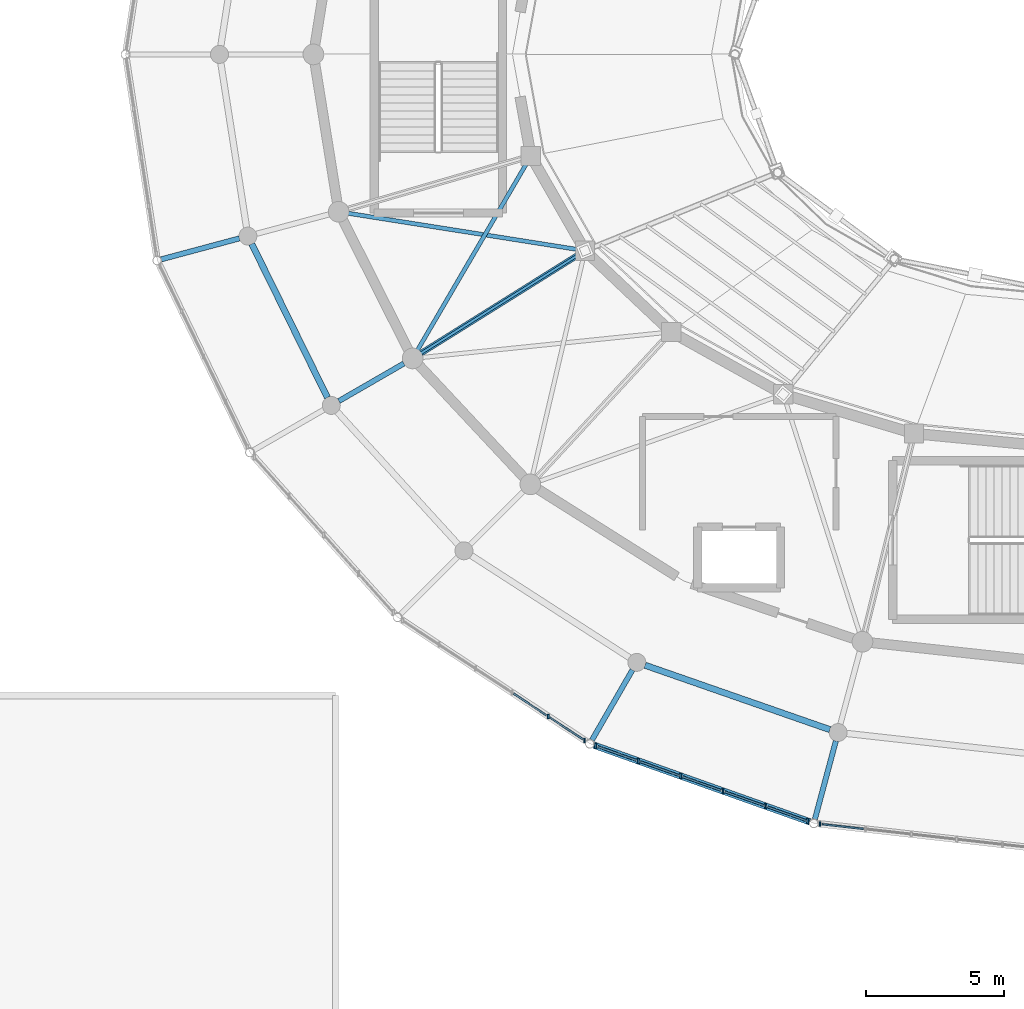
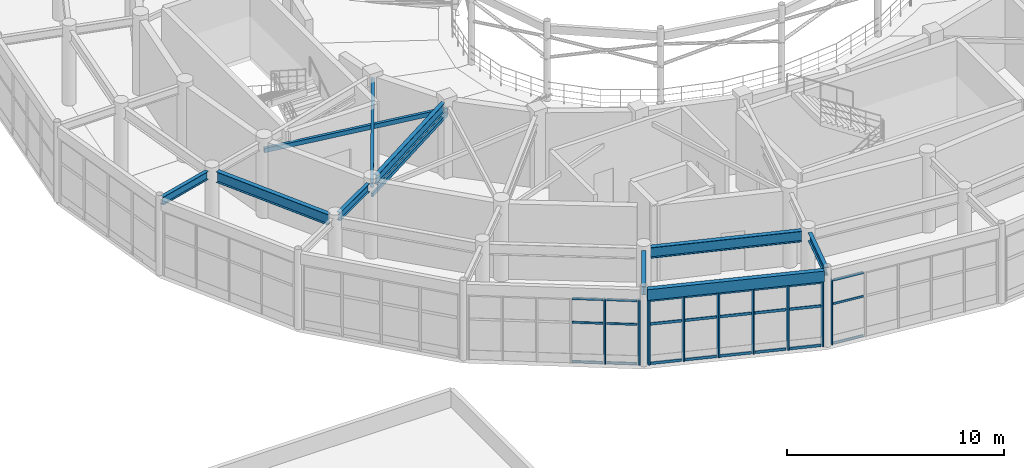
# One storey, part 40 of 112: 36 members, 8 beams, 3 elements without a shape of their own.
"""IFC4 building model written with IfcOpenShell, lengths in metres."""

from ifc_helpers import new_model, si_unit, direction, frame, origin, origin_2d, place, context, subcontext, project, spatial, rectangle, hollow_rectangle, i_section, extrude, material, material_profile, profile_set, type_object, element, aggregate, save


model = new_model("IFC4")

# Units and contexts
model_context = context("Model", 3, precision=1e-05, world=origin(), true_north=direction((0.0, 1.0)))
body_context = subcontext(model_context, "Body", "Model", "MODEL_VIEW")
ifc_project = project(units=[si_unit("LENGTHUNIT", "METRE"), si_unit("AREAUNIT", "SQUARE_METRE"), si_unit("VOLUMEUNIT", "CUBIC_METRE"), si_unit("PLANEANGLEUNIT", "RADIAN"), si_unit("MASSUNIT", "GRAM", prefix="KILO")], contexts=[model_context])

# Site, building, storey
site_placement = place(None, origin())
site = spatial("IfcSite", under=ifc_project, at=site_placement, CompositionType="ELEMENT")
building_placement = place(site_placement, origin())
building = spatial("IfcBuilding", under=site, at=building_placement, Name="Cinderbank Siding Concert Hall", CompositionType="ELEMENT")
storey_placement = place(building_placement, frame((0.0, 0.0, 10.199951171875)))
storey = spatial("IfcBuildingStorey", under=building, at=storey_placement, Name="L03", CompositionType="ELEMENT", Elevation=10.199951171875)

# Beams
ifc_material_1 = material(Name="Structural steel AS/NZS 3679.1 Grade 350 (340 MPa)", Category="steel")
ifc_material_profile_1 = material_profile(ifc_material_1, i_section(OverallWidth=0.19091796875, OverallDepth=0.46044921875, WebThickness=0.010009765625, FlangeThickness=0.01611328125, at=origin_2d()), Name="460UB82.1", Category="LoadBearing")
ifc_profile_set_1 = profile_set([ifc_material_profile_1], Name="Structural steel AS/NZS 3679.1 Grade 350 (340 MPa)")
beam_type_1 = type_object("IfcBeamType", Name="BM-UB460H 460UB82.1", PredefinedType="BEAM", material=ifc_profile_set_1)
beam_1_placement = place(storey_placement, frame((98.47265625, 32.81640625, 4.011962890625), z_axis=(-0.866032896488, -0.499987022033, 0.0), x_axis=(0.499987022033, -0.866032896488, 0.0)))
element("IfcBeam", 1, at=beam_1_placement, inside=storey, type_object=beam_type_1, Name="L03 Beam BM-UB460H #618", PredefinedType="BEAM", context=body_context, shape_type="SweptSolid", body=[
    extrude(i_section(OverallWidth=0.19091796875, OverallDepth=0.46044921875, WebThickness=0.010009765625, FlangeThickness=0.01611328125, at=origin_2d()), origin(), (0.0, 0.0, 1.0), 2.7158203125),
])
for number, where, z_axis, x_axis, name in (
    (2, (92.522705078125, 37.343994140625, 4.0517578125), (-0.965904885504, -0.258897184534, 0.0), (0.258897184534, -0.965904885504, 0.0), "L03 Beam BM-UB460H #641"),
    (3, (106.741455078125, 21.728515625, 4.0517578125), (-0.499958157915, -0.866049559976, 0.0), (0.866049559976, -0.499958157915, 0.0), "L03 Beam BM-UB460H #644"),
    (4, (114.101806640625, 19.1591796875, 4.0517578125), (-0.258897184534, -0.965904885504, 0.0), (0.965904885504, -0.258897184534, 0.0), "L03 Beam BM-UB460H #645"),
):
    element("IfcBeam", number, at=place(storey_placement, frame(where, z_axis=z_axis, x_axis=x_axis)), inside=storey, type_object=beam_type_1, Name=name, PredefinedType="BEAM", context=body_context, shape_type="SweptSolid", body=[
        extrude(i_section(OverallWidth=0.19091796875, OverallDepth=0.46044921875, WebThickness=0.010009765625, FlangeThickness=0.01611328125, at=origin_2d()), origin(), (0.0, 0.0, 1.0), 2.928955078125),
    ])
ifc_material_profile_2 = material_profile(ifc_material_1, i_section(OverallWidth=0.208984375, OverallDepth=0.532958984375, WebThickness=0.01025390625, FlangeThickness=0.015625, at=origin_2d()), Name="530UB92.4", Category="LoadBearing")
ifc_profile_set_2 = profile_set([ifc_material_profile_2], Name="Structural steel AS/NZS 3679.1 Grade 350 (340 MPa)")
beam_type_2 = type_object("IfcBeamType", Name="BM-UB530H 530UB92.4", PredefinedType="BEAM", material=ifc_profile_set_2)
beam_2_placement = place(storey_placement, frame((104.73583984375, 36.718505859375, 3.985595703125), z_axis=(-0.84781868984, -0.530286214376, 0.0), x_axis=(0.530286214376, -0.84781868984, 0.0)))
element("IfcBeam", 5, at=beam_2_placement, inside=storey, type_object=beam_type_2, Name="L03 Beam BM-UB530H #598", PredefinedType="BEAM", context=body_context, shape_type="SweptSolid", body=[
    extrude(i_section(OverallWidth=0.208984375, OverallDepth=0.532958984375, WebThickness=0.01025390625, FlangeThickness=0.015625, at=origin_2d()), origin(), (0.0, 0.0, 1.0), 6.645263671875),
])
ifc_material_profile_3 = material_profile(ifc_material_1, i_section(OverallWidth=0.22802734375, OverallDepth=0.60693359375, WebThickness=0.01123046875, FlangeThickness=0.017333984375, at=origin_2d()), Name="610UB113", Category="LoadBearing")
ifc_profile_set_3 = profile_set([ifc_material_profile_3], Name="Structural steel AS/NZS 3679.1 Grade 350 (340 MPa)")
beam_type_3 = type_object("IfcBeamType", Name="BM-UB610M 610UB113", PredefinedType="BEAM", material=ifc_profile_set_3)
beam_3_placement = place(storey_placement, frame((92.968994140625, 37.1416015625, 3.9384765625), z_axis=(0.441813843649, -0.897106753714, 0.0), x_axis=(0.897106753714, 0.441813843649, 0.0)))
element("IfcBeam", 6, at=beam_3_placement, inside=storey, type_object=beam_type_3, Name="L03 Beam BM-UB610M #558", PredefinedType="BEAM", context=body_context, shape_type="SweptSolid", body=[
    extrude(i_section(OverallWidth=0.22802734375, OverallDepth=0.60693359375, WebThickness=0.01123046875, FlangeThickness=0.017333984375, at=origin_2d()), origin(), (0.0, 0.0, 1.0), 6.194580078125),
])
beam_4_placement = place(storey_placement, frame((107.199462890625, 21.898681640625, 3.9384765625), z_axis=(0.944334299593, -0.328987432301, 0.0), x_axis=(0.328987432301, 0.944334299593, 0.0)))
element("IfcBeam", 7, at=beam_4_placement, inside=storey, type_object=beam_type_3, Name="L03 Beam BM-UB610M #561", PredefinedType="BEAM", context=body_context, shape_type="SweptSolid", body=[
    extrude(i_section(OverallWidth=0.22802734375, OverallDepth=0.60693359375, WebThickness=0.01123046875, FlangeThickness=0.017333984375, at=origin_2d()), origin(), (0.0, 0.0, 1.0), 7.078857421875),
])

# Curtain wall, members
ifc_material_2 = material(Name="Anodised aluminium alloy 6063-T6", Category="aluminium")
curtain_wall_type_1 = type_object("IfcCurtainWallType", Name="CW-04 Unitised Acoustic Curtain Wall 7000x4400", PredefinedType="NOTDEFINED", material=ifc_material_2)
curtain_wall_1_placement = place(storey_placement, origin())
curtain_wall_1 = element("IfcCurtainWall", 8, at=curtain_wall_1_placement, inside=storey, type_object=curtain_wall_type_1, Name="L03 Curtain Wall CW-04 #40", PredefinedType="NOTDEFINED")
ifc_material_profile_4 = material_profile(ifc_material_2, rectangle(XDim=0.06005859375, YDim=0.159912109375, at=origin_2d()), Name="ALU-MULL-60x160", Category="LoadBearing")
ifc_profile_set_4 = profile_set([ifc_material_profile_4], Name="Anodised aluminium alloy 6063-T6")
member_type_1 = type_object("IfcMemberType", Name="CW-ML1 Mullion 60x160", PredefinedType="MULLION", material=ifc_profile_set_4)
member_1_placement = place(storey_placement, frame((103.694580078125, 20.048583984375, 0.0), z_axis=(0.0, 0.0, 1.0), x_axis=(1.0, 0.0, 0.0)))
member_1 = element("IfcMember", 9, at=member_1_placement, type_object=member_type_1, Name="CW-L03-040 Mullion 4", PredefinedType="MULLION", context=body_context, shape_type="SweptSolid", body=[
    extrude(rectangle(XDim=0.06005859375, YDim=0.159912109375, at=origin_2d()), origin(), (0.0, 0.0, 1.0), 3.6669921875),
])
member_2_placement = place(storey_placement, frame((105.010498046875, 19.18310546875, 0.0), z_axis=(0.0, 0.0, 1.0), x_axis=(1.0, 0.0, 0.0)))
member_2 = element("IfcMember", 10, at=member_2_placement, type_object=member_type_1, Name="CW-L03-040 Mullion 5", PredefinedType="MULLION", context=body_context, shape_type="SweptSolid", body=[
    extrude(rectangle(XDim=0.06005859375, YDim=0.159912109375, at=origin_2d()), origin(), (0.0, 0.0, 1.0), 3.6669921875),
])

# Curtain wall, member
curtain_wall_type_2 = type_object("IfcCurtainWallType", Name="CW-06 Unitised Acoustic Curtain Wall 7600x3800", PredefinedType="NOTDEFINED", material=ifc_material_2)
curtain_wall_2_placement = place(storey_placement, origin())
curtain_wall_2 = element("IfcCurtainWall", 11, at=curtain_wall_2_placement, inside=storey, type_object=curtain_wall_type_2, Name="L03 Curtain Wall CW-06 #42", PredefinedType="NOTDEFINED")
member_3_placement = place(storey_placement, frame((113.529296875, 16.156005859375, 0.0), z_axis=(0.0, 0.0, 1.0), x_axis=(1.0, 0.0, 0.0)))
member_3 = element("IfcMember", 12, at=member_3_placement, type_object=member_type_1, Name="CW-L03-042 Mullion 0", PredefinedType="MULLION", context=body_context, shape_type="SweptSolid", body=[
    extrude(rectangle(XDim=0.06005859375, YDim=0.159912109375, at=origin_2d()), origin(), (0.0, 0.0, 1.0), 3.6669921875),
])

# Curtain wall, members
curtain_wall_type_3 = type_object("IfcCurtainWallType", Name="CW-05 Unitised Acoustic Curtain Wall 8200x3800", PredefinedType="NOTDEFINED", material=ifc_material_2)
curtain_wall_3_placement = place(storey_placement, origin())
curtain_wall_3 = element("IfcCurtainWall", 13, at=curtain_wall_3_placement, inside=storey, type_object=curtain_wall_type_3, Name="L03 Curtain Wall CW-05 #41", PredefinedType="NOTDEFINED")
ifc_material_profile_5 = material_profile(ifc_material_2, rectangle(XDim=0.06494140625, YDim=0.199951171875, at=origin_2d()), Name="ALU-MULL-65x200", Category="LoadBearing")
ifc_profile_set_5 = profile_set([ifc_material_profile_5], Name="Anodised aluminium alloy 6063-T6")
member_type_2 = type_object("IfcMemberType", Name="CW-ML2 Mullion 65x200", PredefinedType="MULLION", material=ifc_profile_set_5)
member_4_placement = place(storey_placement, frame((105.413818359375, 18.982666015625, 0.0), z_axis=(0.0, 0.0, 1.0), x_axis=(1.0, 0.0, 0.0)))
member_4 = element("IfcMember", 14, at=member_4_placement, type_object=member_type_2, Name="CW-L03-041 Mullion 0", PredefinedType="MULLION", context=body_context, shape_type="SweptSolid", body=[
    extrude(rectangle(XDim=0.06494140625, YDim=0.199951171875, at=origin_2d()), origin(), (0.0, 0.0, 1.0), 3.6669921875),
])
member_5_placement = place(storey_placement, frame((106.94921875, 18.4375, 0.0), z_axis=(0.0, 0.0, 1.0), x_axis=(1.0, 0.0, 0.0)))
member_5 = element("IfcMember", 15, at=member_5_placement, type_object=member_type_2, Name="CW-L03-041 Mullion 1", PredefinedType="MULLION", context=body_context, shape_type="SweptSolid", body=[
    extrude(rectangle(XDim=0.06494140625, YDim=0.199951171875, at=origin_2d()), origin(), (0.0, 0.0, 1.0), 3.6669921875),
])
member_6_placement = place(storey_placement, frame((108.484375, 17.892333984375, 0.0), z_axis=(0.0, 0.0, 1.0), x_axis=(1.0, 0.0, 0.0)))
member_6 = element("IfcMember", 16, at=member_6_placement, type_object=member_type_2, Name="CW-L03-041 Mullion 2", PredefinedType="MULLION", context=body_context, shape_type="SweptSolid", body=[
    extrude(rectangle(XDim=0.06494140625, YDim=0.199951171875, at=origin_2d()), origin(), (0.0, 0.0, 1.0), 3.6669921875),
])
member_7_placement = place(storey_placement, frame((110.019287109375, 17.347412109375, 0.0), z_axis=(0.0, 0.0, 1.0), x_axis=(1.0, 0.0, 0.0)))
member_7 = element("IfcMember", 17, at=member_7_placement, type_object=member_type_2, Name="CW-L03-041 Mullion 3", PredefinedType="MULLION", context=body_context, shape_type="SweptSolid", body=[
    extrude(rectangle(XDim=0.06494140625, YDim=0.199951171875, at=origin_2d()), origin(), (0.0, 0.0, 1.0), 3.6669921875),
])
member_8_placement = place(storey_placement, frame((111.5546875, 16.80224609375, 0.0), z_axis=(0.0, 0.0, 1.0), x_axis=(1.0, 0.0, 0.0)))
member_8 = element("IfcMember", 18, at=member_8_placement, type_object=member_type_2, Name="CW-L03-041 Mullion 4", PredefinedType="MULLION", context=body_context, shape_type="SweptSolid", body=[
    extrude(rectangle(XDim=0.06494140625, YDim=0.199951171875, at=origin_2d()), origin(), (0.0, 0.0, 1.0), 3.6669921875),
])
member_9_placement = place(storey_placement, frame((113.08984375, 16.257080078125, 0.0), z_axis=(0.0, 0.0, 1.0), x_axis=(1.0, 0.0, 0.0)))
member_9 = element("IfcMember", 19, at=member_9_placement, type_object=member_type_2, Name="CW-L03-041 Mullion 5", PredefinedType="MULLION", context=body_context, shape_type="SweptSolid", body=[
    extrude(rectangle(XDim=0.06494140625, YDim=0.199951171875, at=origin_2d()), origin(), (0.0, 0.0, 1.0), 3.6669921875),
])

# Member
ifc_material_profile_6 = material_profile(ifc_material_2, rectangle(XDim=0.06005859375, YDim=0.1201171875, at=origin_2d()), Name="ALU-TRAN-60x120", Category="LoadBearing")
ifc_profile_set_6 = profile_set([ifc_material_profile_6], Name="Anodised aluminium alloy 6063-T6")
member_type_3 = type_object("IfcMemberType", Name="CW-TR1 Transom 60x120", PredefinedType="USERDEFINED", material=ifc_profile_set_6)
member_10_placement = place(storey_placement, frame((102.4443359375, 20.870849609375, 0.06005859375), z_axis=(0.835531529407, -0.549442502331, 0.0), x_axis=(0.549442502331, 0.835531529407, 0.0)))
member_10 = element("IfcMember", 20, at=member_10_placement, type_object=member_type_3, Name="CW-L03-040 Transom 3-0", ObjectType="TRANSOM", PredefinedType="USERDEFINED", context=body_context, shape_type="SweptSolid", body=[
    extrude(rectangle(XDim=0.06005859375, YDim=0.1201171875, at=origin_2d()), origin(), (0.0, 0.0, 1.0), 1.41748046875),
])

member_11_placement = place(storey_placement, frame((102.4443359375, 20.870849609375, 2.2734375), z_axis=(0.835531529407, -0.549442502331, 0.0), x_axis=(0.549442502331, 0.835531529407, 0.0)))
member_11 = element("IfcMember", 21, at=member_11_placement, type_object=member_type_3, Name="CW-L03-040 Transom 3-1", ObjectType="TRANSOM", PredefinedType="USERDEFINED", context=body_context, shape_type="SweptSolid", body=[
    extrude(rectangle(XDim=0.06005859375, YDim=0.1201171875, at=origin_2d()), origin(), (0.0, 0.0, 1.0), 1.41748046875),
])

member_12_placement = place(storey_placement, frame((102.4443359375, 20.870849609375, 3.60693359375), z_axis=(0.835531529407, -0.549442502331, 0.0), x_axis=(0.549442502331, 0.835531529407, 0.0)))
member_12 = element("IfcMember", 22, at=member_12_placement, type_object=member_type_3, Name="CW-L03-040 Transom 3-2", ObjectType="TRANSOM", PredefinedType="USERDEFINED", context=body_context, shape_type="SweptSolid", body=[
    extrude(rectangle(XDim=0.06005859375, YDim=0.1201171875, at=origin_2d()), origin(), (0.0, 0.0, 1.0), 1.41748046875),
])

member_13_placement = place(storey_placement, frame((103.76025390625, 20.00537109375, 0.06005859375), z_axis=(0.835531529407, -0.549442502331, 0.0), x_axis=(0.549442502331, 0.835531529407, 0.0)))
member_13 = element("IfcMember", 23, at=member_13_placement, type_object=member_type_3, Name="CW-L03-040 Transom 4-0", ObjectType="TRANSOM", PredefinedType="USERDEFINED", context=body_context, shape_type="SweptSolid", body=[
    extrude(rectangle(XDim=0.06005859375, YDim=0.1201171875, at=origin_2d()), origin(), (0.0, 0.0, 1.0), 1.41748046875),
])

member_14_placement = place(storey_placement, frame((103.76025390625, 20.00537109375, 2.2734375), z_axis=(0.835531529407, -0.549442502331, 0.0), x_axis=(0.549442502331, 0.835531529407, 0.0)))
member_14 = element("IfcMember", 24, at=member_14_placement, type_object=member_type_3, Name="CW-L03-040 Transom 4-1", ObjectType="TRANSOM", PredefinedType="USERDEFINED", context=body_context, shape_type="SweptSolid", body=[
    extrude(rectangle(XDim=0.06005859375, YDim=0.1201171875, at=origin_2d()), origin(), (0.0, 0.0, 1.0), 1.41748046875),
])

member_15_placement = place(storey_placement, frame((103.76025390625, 20.00537109375, 3.60693359375), z_axis=(0.835531529407, -0.549442502331, 0.0), x_axis=(0.549442502331, 0.835531529407, 0.0)))
member_15 = element("IfcMember", 25, at=member_15_placement, type_object=member_type_3, Name="CW-L03-040 Transom 4-2", ObjectType="TRANSOM", PredefinedType="USERDEFINED", context=body_context, shape_type="SweptSolid", body=[
    extrude(rectangle(XDim=0.06005859375, YDim=0.1201171875, at=origin_2d()), origin(), (0.0, 0.0, 1.0), 1.41748046875),
])

aggregate(curtain_wall_1, [member_1, member_2, member_10, member_11, member_12, member_13, member_14, member_15])

member_16_placement = place(storey_placement, frame((113.61181640625, 16.146484375, 0.06005859375), z_axis=(0.993690839164, -0.112153984151, 0.0), x_axis=(0.112153984151, 0.993690839164, 0.0)))
member_16 = element("IfcMember", 26, at=member_16_placement, type_object=member_type_3, Name="CW-L03-042 Transom 0-0", ObjectType="TRANSOM", PredefinedType="USERDEFINED", context=body_context, shape_type="SweptSolid", body=[
    extrude(rectangle(XDim=0.06005859375, YDim=0.1201171875, at=origin_2d()), origin(), (0.0, 0.0, 1.0), 1.493408203125),
])

member_17_placement = place(storey_placement, frame((113.61181640625, 16.146484375, 2.2734375), z_axis=(0.993690839164, -0.112153984151, 0.0), x_axis=(0.112153984151, 0.993690839164, 0.0)))
member_17 = element("IfcMember", 27, at=member_17_placement, type_object=member_type_3, Name="CW-L03-042 Transom 0-1", ObjectType="TRANSOM", PredefinedType="USERDEFINED", context=body_context, shape_type="SweptSolid", body=[
    extrude(rectangle(XDim=0.06005859375, YDim=0.1201171875, at=origin_2d()), origin(), (0.0, 0.0, 1.0), 1.493408203125),
])

member_18_placement = place(storey_placement, frame((113.61181640625, 16.146484375, 3.60693359375), z_axis=(0.993690839164, -0.112153984151, 0.0), x_axis=(0.112153984151, 0.993690839164, 0.0)))
member_18 = element("IfcMember", 28, at=member_18_placement, type_object=member_type_3, Name="CW-L03-042 Transom 0-2", ObjectType="TRANSOM", PredefinedType="USERDEFINED", context=body_context, shape_type="SweptSolid", body=[
    extrude(rectangle(XDim=0.06005859375, YDim=0.1201171875, at=origin_2d()), origin(), (0.0, 0.0, 1.0), 1.493408203125),
])

aggregate(curtain_wall_2, [member_3, member_16, member_17, member_18])

ifc_material_profile_7 = material_profile(ifc_material_2, rectangle(XDim=0.06494140625, YDim=0.14990234375, at=origin_2d()), Name="ALU-TRAN-65x150", Category="LoadBearing")
ifc_profile_set_7 = profile_set([ifc_material_profile_7], Name="Anodised aluminium alloy 6063-T6")
member_type_4 = type_object("IfcMemberType", Name="CW-TR2 Transom 65x150", PredefinedType="USERDEFINED", material=ifc_profile_set_7)
member_19_placement = place(storey_placement, frame((105.490478515625, 18.955322265625, 0.06005859375), z_axis=(0.942395579657, -0.334500480482, 0.0), x_axis=(0.334500480482, 0.942395579657, 0.0)))
member_19 = element("IfcMember", 29, at=member_19_placement, type_object=member_type_4, Name="CW-L03-041 Transom 0-0", ObjectType="TRANSOM", PredefinedType="USERDEFINED", context=body_context, shape_type="SweptSolid", body=[
    extrude(rectangle(XDim=0.06494140625, YDim=0.14990234375, at=origin_2d()), origin(), (0.0, 0.0, 1.0), 1.46630859375),
])

member_20_placement = place(storey_placement, frame((105.490478515625, 18.955322265625, 2.2734375), z_axis=(0.942395579657, -0.334500480482, 0.0), x_axis=(0.334500480482, 0.942395579657, 0.0)))
member_20 = element("IfcMember", 30, at=member_20_placement, type_object=member_type_4, Name="CW-L03-041 Transom 0-1", ObjectType="TRANSOM", PredefinedType="USERDEFINED", context=body_context, shape_type="SweptSolid", body=[
    extrude(rectangle(XDim=0.06494140625, YDim=0.14990234375, at=origin_2d()), origin(), (0.0, 0.0, 1.0), 1.46630859375),
])

member_21_placement = place(storey_placement, frame((105.490478515625, 18.955322265625, 3.60693359375), z_axis=(0.942395579657, -0.334500480482, 0.0), x_axis=(0.334500480482, 0.942395579657, 0.0)))
member_21 = element("IfcMember", 31, at=member_21_placement, type_object=member_type_4, Name="CW-L03-041 Transom 0-2", ObjectType="TRANSOM", PredefinedType="USERDEFINED", context=body_context, shape_type="SweptSolid", body=[
    extrude(rectangle(XDim=0.06494140625, YDim=0.14990234375, at=origin_2d()), origin(), (0.0, 0.0, 1.0), 1.46630859375),
])

member_22_placement = place(storey_placement, frame((107.02587890625, 18.41015625, 0.06005859375), z_axis=(0.942376945381, -0.334552974602, 0.0), x_axis=(0.334552974602, 0.942376945381, 0.0)))
member_22 = element("IfcMember", 32, at=member_22_placement, type_object=member_type_4, Name="CW-L03-041 Transom 1-0", ObjectType="TRANSOM", PredefinedType="USERDEFINED", context=body_context, shape_type="SweptSolid", body=[
    extrude(rectangle(XDim=0.06494140625, YDim=0.14990234375, at=origin_2d()), origin(), (0.0, 0.0, 1.0), 1.466064453125),
])

member_23_placement = place(storey_placement, frame((107.02587890625, 18.41015625, 2.2734375), z_axis=(0.942376945381, -0.334552974602, 0.0), x_axis=(0.334552974602, 0.942376945381, 0.0)))
member_23 = element("IfcMember", 33, at=member_23_placement, type_object=member_type_4, Name="CW-L03-041 Transom 1-1", ObjectType="TRANSOM", PredefinedType="USERDEFINED", context=body_context, shape_type="SweptSolid", body=[
    extrude(rectangle(XDim=0.06494140625, YDim=0.14990234375, at=origin_2d()), origin(), (0.0, 0.0, 1.0), 1.466064453125),
])

member_24_placement = place(storey_placement, frame((107.02587890625, 18.41015625, 3.60693359375), z_axis=(0.942376945381, -0.334552974602, 0.0), x_axis=(0.334552974602, 0.942376945381, 0.0)))
member_24 = element("IfcMember", 34, at=member_24_placement, type_object=member_type_4, Name="CW-L03-041 Transom 1-2", ObjectType="TRANSOM", PredefinedType="USERDEFINED", context=body_context, shape_type="SweptSolid", body=[
    extrude(rectangle(XDim=0.06494140625, YDim=0.14990234375, at=origin_2d()), origin(), (0.0, 0.0, 1.0), 1.466064453125),
])

member_25_placement = place(storey_placement, frame((108.56103515625, 17.865234375, 0.06005859375), z_axis=(0.942324434865, -0.334700850694, 0.0), x_axis=(0.334700850694, 0.942324434865, 0.0)))
member_25 = element("IfcMember", 35, at=member_25_placement, type_object=member_type_4, Name="CW-L03-041 Transom 2-0", ObjectType="TRANSOM", PredefinedType="USERDEFINED", context=body_context, shape_type="SweptSolid", body=[
    extrude(rectangle(XDim=0.06494140625, YDim=0.14990234375, at=origin_2d()), origin(), (0.0, 0.0, 1.0), 1.466064453125),
])

member_26_placement = place(storey_placement, frame((108.56103515625, 17.865234375, 2.2734375), z_axis=(0.942324434865, -0.334700850694, 0.0), x_axis=(0.334700850694, 0.942324434865, 0.0)))
member_26 = element("IfcMember", 36, at=member_26_placement, type_object=member_type_4, Name="CW-L03-041 Transom 2-1", ObjectType="TRANSOM", PredefinedType="USERDEFINED", context=body_context, shape_type="SweptSolid", body=[
    extrude(rectangle(XDim=0.06494140625, YDim=0.14990234375, at=origin_2d()), origin(), (0.0, 0.0, 1.0), 1.466064453125),
])

member_27_placement = place(storey_placement, frame((108.56103515625, 17.865234375, 3.60693359375), z_axis=(0.942324434865, -0.334700850694, 0.0), x_axis=(0.334700850694, 0.942324434865, 0.0)))
member_27 = element("IfcMember", 37, at=member_27_placement, type_object=member_type_4, Name="CW-L03-041 Transom 2-2", ObjectType="TRANSOM", PredefinedType="USERDEFINED", context=body_context, shape_type="SweptSolid", body=[
    extrude(rectangle(XDim=0.06494140625, YDim=0.14990234375, at=origin_2d()), origin(), (0.0, 0.0, 1.0), 1.466064453125),
])

member_28_placement = place(storey_placement, frame((110.09619140625, 17.320068359375, 0.06005859375), z_axis=(0.942376945381, -0.334552974602, 0.0), x_axis=(0.334552974602, 0.942376945381, 0.0)))
member_28 = element("IfcMember", 38, at=member_28_placement, type_object=member_type_4, Name="CW-L03-041 Transom 3-0", ObjectType="TRANSOM", PredefinedType="USERDEFINED", context=body_context, shape_type="SweptSolid", body=[
    extrude(rectangle(XDim=0.06494140625, YDim=0.14990234375, at=origin_2d()), origin(), (0.0, 0.0, 1.0), 1.466064453125),
])

member_29_placement = place(storey_placement, frame((110.09619140625, 17.320068359375, 2.2734375), z_axis=(0.942376945381, -0.334552974602, 0.0), x_axis=(0.334552974602, 0.942376945381, 0.0)))
member_29 = element("IfcMember", 39, at=member_29_placement, type_object=member_type_4, Name="CW-L03-041 Transom 3-1", ObjectType="TRANSOM", PredefinedType="USERDEFINED", context=body_context, shape_type="SweptSolid", body=[
    extrude(rectangle(XDim=0.06494140625, YDim=0.14990234375, at=origin_2d()), origin(), (0.0, 0.0, 1.0), 1.466064453125),
])

member_30_placement = place(storey_placement, frame((110.09619140625, 17.320068359375, 3.60693359375), z_axis=(0.942376945381, -0.334552974602, 0.0), x_axis=(0.334552974602, 0.942376945381, 0.0)))
member_30 = element("IfcMember", 40, at=member_30_placement, type_object=member_type_4, Name="CW-L03-041 Transom 3-2", ObjectType="TRANSOM", PredefinedType="USERDEFINED", context=body_context, shape_type="SweptSolid", body=[
    extrude(rectangle(XDim=0.06494140625, YDim=0.14990234375, at=origin_2d()), origin(), (0.0, 0.0, 1.0), 1.466064453125),
])

member_31_placement = place(storey_placement, frame((111.63134765625, 16.77490234375, 0.06005859375), z_axis=(0.942395579657, -0.334500480482, 0.0), x_axis=(0.334500480482, 0.942395579657, 0.0)))
member_31 = element("IfcMember", 41, at=member_31_placement, type_object=member_type_4, Name="CW-L03-041 Transom 4-0", ObjectType="TRANSOM", PredefinedType="USERDEFINED", context=body_context, shape_type="SweptSolid", body=[
    extrude(rectangle(XDim=0.06494140625, YDim=0.14990234375, at=origin_2d()), origin(), (0.0, 0.0, 1.0), 1.46630859375),
])

member_32_placement = place(storey_placement, frame((111.63134765625, 16.77490234375, 2.2734375), z_axis=(0.942395579657, -0.334500480482, 0.0), x_axis=(0.334500480482, 0.942395579657, 0.0)))
member_32 = element("IfcMember", 42, at=member_32_placement, type_object=member_type_4, Name="CW-L03-041 Transom 4-1", ObjectType="TRANSOM", PredefinedType="USERDEFINED", context=body_context, shape_type="SweptSolid", body=[
    extrude(rectangle(XDim=0.06494140625, YDim=0.14990234375, at=origin_2d()), origin(), (0.0, 0.0, 1.0), 1.46630859375),
])

member_33_placement = place(storey_placement, frame((111.63134765625, 16.77490234375, 3.60693359375), z_axis=(0.942395579657, -0.334500480482, 0.0), x_axis=(0.334500480482, 0.942395579657, 0.0)))
member_33 = element("IfcMember", 43, at=member_33_placement, type_object=member_type_4, Name="CW-L03-041 Transom 4-2", ObjectType="TRANSOM", PredefinedType="USERDEFINED", context=body_context, shape_type="SweptSolid", body=[
    extrude(rectangle(XDim=0.06494140625, YDim=0.14990234375, at=origin_2d()), origin(), (0.0, 0.0, 1.0), 1.46630859375),
])

aggregate(curtain_wall_3, [member_4, member_5, member_6, member_7, member_8, member_9, member_19, member_20, member_21, member_22, member_23, member_24, member_25, member_26, member_27, member_28, member_29, member_30, member_31, member_32, member_33])

ifc_material_3 = material(Name="Structural steel hollow section AS/NZS 1163 Grade C350L0 (350 MPa)", Category="steel")
ifc_material_profile_8 = material_profile(ifc_material_3, hollow_rectangle(XDim=0.10009765625, YDim=0.199951171875, WallThickness=0.008056640625, at=origin_2d()), Name="200x100x8.0RHS", Category="LoadBearing")
ifc_profile_set_8 = profile_set([ifc_material_profile_8], Name="Structural steel hollow section AS/NZS 1163 Grade C350L0 (350 MPa)")
member_type_5 = type_object("IfcMemberType", Name="PR-RHS200 200x100x8.0RHS Roof Truss", PredefinedType="PURLIN", material=ifc_profile_set_8)
member_34_placement = place(storey_placement, frame((105.02587890625, 36.89990234375, 3.340087890625), z_axis=(-0.847826684568, -0.530273432235, 0.0), x_axis=(0.530273432235, -0.847826684568, 0.0)))
element("IfcMember", 44, at=member_34_placement, inside=storey, type_object=member_type_5, Name="L03 Roof Truss Member PR-RHS200 #2256", PredefinedType="PURLIN", context=body_context, shape_type="SweptSolid", body=[
    extrude(hollow_rectangle(XDim=0.10009765625, YDim=0.199951171875, WallThickness=0.008056640625, at=origin_2d()), origin(), (0.0, 0.0, 1.0), 7.3544921875),
])

# Beam
ifc_material_4 = material(Name="Spotted gum glulam timber GL18 (42 MPa)", Category="wood")
ifc_material_profile_9 = material_profile(ifc_material_4, rectangle(XDim=0.239990234375, YDim=0.60009765625, at=origin_2d()), Name="GL18-240x600", Category="LoadBearing")
ifc_profile_set_9 = profile_set([ifc_material_profile_9], Name="Spotted gum glulam timber GL18 (42 MPa)")
beam_type_4 = type_object("IfcBeamType", Name="SP-GL600 GL18-240x600", PredefinedType="SPANDREL", material=ifc_profile_set_9)
beam_5_placement = place(storey_placement, frame((105.34521484375, 19.007080078125, 3.98193359375), z_axis=(0.942365164676, -0.334586156924, 0.0), x_axis=(0.334586156924, 0.942365164676, 0.0)))
element("IfcBeam", 45, at=beam_5_placement, inside=storey, type_object=beam_type_4, Name="L03 Beam SP-GL600 #585", PredefinedType="SPANDREL", context=body_context, shape_type="SweptSolid", body=[
    extrude(rectangle(XDim=0.239990234375, YDim=0.60009765625, at=origin_2d()), origin(), (0.0, 0.0, 1.0), 8.291259765625),
])

# Members
ifc_material_profile_10 = material_profile(ifc_material_3, hollow_rectangle(XDim=0.14990234375, YDim=0.25, WallThickness=0.009033203125, at=origin_2d()), Name="250x150x9.0RHS", Category="LoadBearing")
ifc_profile_set_10 = profile_set([ifc_material_profile_10], Name="Structural steel hollow section AS/NZS 1163 Grade C350L0 (350 MPa)")
member_type_6 = type_object("IfcMemberType", Name="TR-RHS250 250x150x9.0RHS Roof Truss", PredefinedType="RAFTER", material=ifc_profile_set_10)
member_35_placement = place(storey_placement, frame((103.06787109375, 40.32470703125, 3.880126953125), z_axis=(-0.50427542144, -0.863542876372, 0.0), x_axis=(0.863542876372, -0.50427542144, 0.0)))
element("IfcMember", 46, at=member_35_placement, inside=storey, type_object=member_type_6, Name="L03 Roof Truss Member TR-RHS250 #2251", PredefinedType="RAFTER", context=body_context, shape_type="SweptSolid", body=[
    extrude(hollow_rectangle(XDim=0.14990234375, YDim=0.25, WallThickness=0.009033203125, at=origin_2d()), origin(), (0.0, 0.0, 1.0), 8.482177734375),
])
member_36_placement = place(storey_placement, frame((105.02587890625, 36.89990234375, 3.60009765625), z_axis=(-0.987784236991, 0.155827793262, 0.0), x_axis=(-0.155827793262, -0.987784236991, 0.0)))
element("IfcMember", 47, at=member_36_placement, inside=storey, type_object=member_type_6, Name="L03 Roof Truss Member TR-RHS250 #2252", PredefinedType="RAFTER", context=body_context, shape_type="SweptSolid", body=[
    extrude(hollow_rectangle(XDim=0.14990234375, YDim=0.25, WallThickness=0.009033203125, at=origin_2d()), origin(), (0.0, 0.0, 1.0), 9.022705078125),
])

save(model, "model.ifc")
